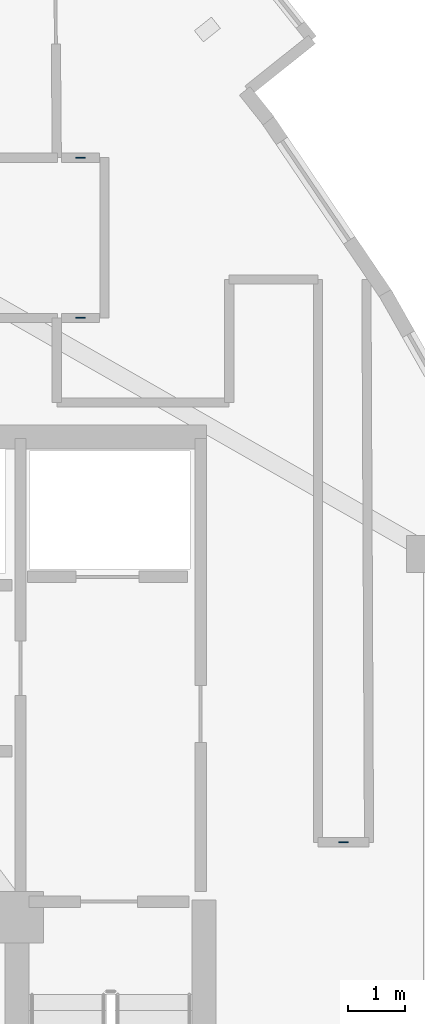
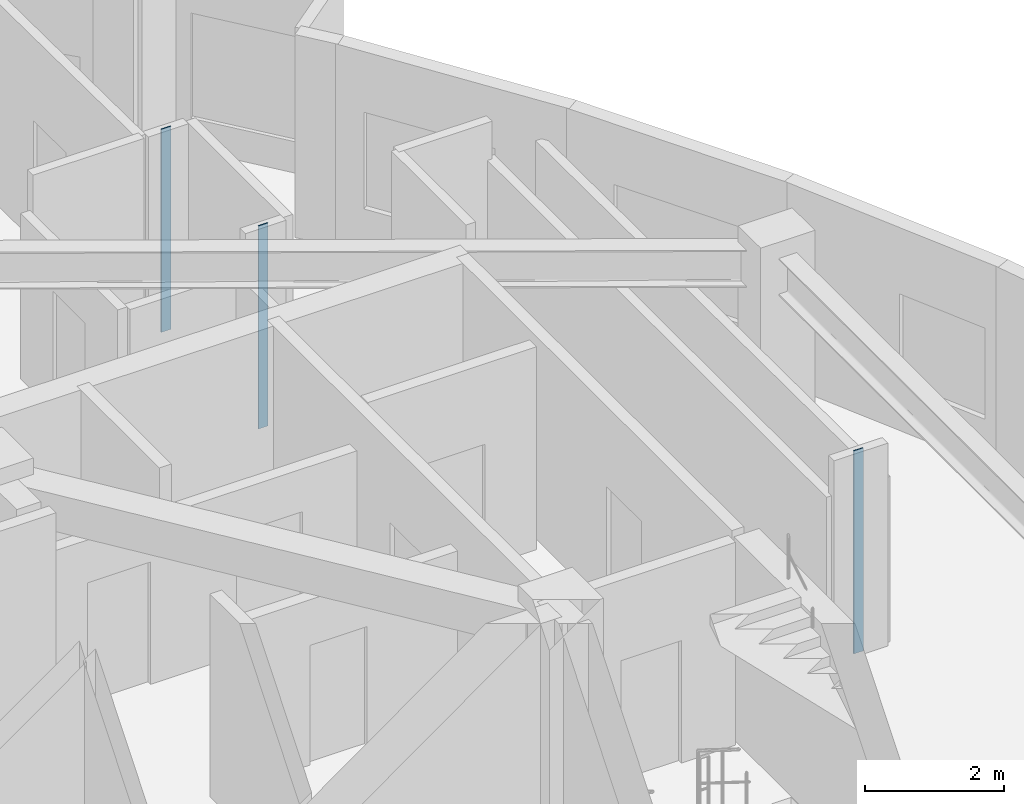
# One storey, part 6 of 13: 3 plates.
"""IFC4 building model written with IfcOpenShell, lengths in metres."""

import ifcopenshell
import ifcopenshell.guid

model = None  # the IFC model being written
_history = None  # IfcOwnerHistory: only IFC2X3 demands one
_inside = {}  # id of a spatial element -> (the spatial element, [elements in it])
_under = {}  # id of a project, library or spatial element -> (it, [spatial elements below it])
_declared = {}  # id of a project -> (the project, [libraries it declares])
_typed = {}  # id of a type object -> (the type object, [elements of that type])
_made_of = {}  # id of a material, layer set ... -> (it, [elements and type objects made of it])


def new_model(schema):
    """Start an empty IFC model of exactly this schema.

    Asked for "IFC4X3", IfcOpenShell would pick the latest addendum, in which some entities
    have other attributes; the version numbers below select the first issue.
    IFC2X3 requires an IfcOwnerHistory on every rooted entity: one is made here for all.
    """
    global model, _history
    if schema == "IFC4X3":
        model = ifcopenshell.file(schema_version=(4, 3, 0, 0))
    else:
        model = ifcopenshell.file(schema=schema)
    _inside.clear()
    _under.clear()
    _declared.clear()
    _typed.clear()
    _made_of.clear()
    _history = None
    if model.schema == "IFC2X3":
        org = make("IfcOrganization", Name="unknown")
        user = make(
            "IfcPersonAndOrganization",
            ThePerson=make("IfcPerson", FamilyName="unknown"),
            TheOrganization=org,
        )
        app = make(
            "IfcApplication",
            ApplicationDeveloper=org,
            Version="unknown",
            ApplicationFullName="unknown",
            ApplicationIdentifier="unknown",
        )
        _history = make(
            "IfcOwnerHistory",
            OwningUser=user,
            OwningApplication=app,
            ChangeAction="ADDED",
            CreationDate=0,
        )
    return model


def make(cls, **values):
    """One entity of the class cls with the attributes given. An attribute that is None is left unset."""
    return model.create_entity(
        cls, **{name: value for name, value in values.items() if value is not None}
    )


def rooted(cls, **values):
    """An entity with a GlobalId (a new one), such as an element, a storey or a relation."""
    return make(cls, GlobalId=ifcopenshell.guid.new(), OwnerHistory=_history, **values)


def si_unit(unit_type, name, prefix=None):
    """IfcSIUnit, for example si_unit("LENGTHUNIT", "METRE", prefix="MILLI")."""
    return make("IfcSIUnit", UnitType=unit_type, Prefix=prefix, Name=name)


def assignment(units):
    """IfcUnitAssignment: the units of a project."""
    return None if units is None else make("IfcUnitAssignment", Units=units)


def point(xyz):
    """IfcCartesianPoint."""
    return None if xyz is None else make("IfcCartesianPoint", Coordinates=xyz)


def direction(xyz):
    """IfcDirection."""
    return None if xyz is None else make("IfcDirection", DirectionRatios=xyz)


def frame(location, z_axis=None, x_axis=None):
    """IfcAxis2Placement3D, a coordinate frame: its origin and axes. An axis left out is left unset."""
    return make(
        "IfcAxis2Placement3D",
        Location=point(location),
        Axis=direction(z_axis),
        RefDirection=direction(x_axis),
    )


def frame_2d(location, x_axis=None):
    """IfcAxis2Placement2D, a coordinate frame in the plane: its origin and x axis."""
    return make(
        "IfcAxis2Placement2D", Location=point(location), RefDirection=direction(x_axis)
    )


def origin():
    """The frame at (0, 0, 0) with its axes left unset."""
    return frame((0.0, 0.0, 0.0))


def origin_2d():
    """The frame at (0, 0) in the plane with its x axis left unset."""
    return frame_2d((0.0, 0.0))


def place(relative_to, where):
    """IfcLocalPlacement: puts the frame where relative to a parent placement (None: the world)."""
    return make(
        "IfcLocalPlacement", PlacementRelTo=relative_to, RelativePlacement=where
    )


def context(
    kind, dimensions, precision=None, world=None, true_north=None, identifier=None
):
    """IfcGeometricRepresentationContext, for example the 3D "Model" context."""
    return make(
        "IfcGeometricRepresentationContext",
        ContextIdentifier=identifier,
        ContextType=kind,
        CoordinateSpaceDimension=dimensions,
        Precision=precision,
        WorldCoordinateSystem=world,
        TrueNorth=true_north,
    )


def subcontext(parent, identifier, kind, view, scale=None):
    """IfcGeometricRepresentationSubContext, for example "Body" below "Model"."""
    return make(
        "IfcGeometricRepresentationSubContext",
        ContextIdentifier=identifier,
        ContextType=kind,
        ParentContext=parent,
        TargetScale=scale,
        TargetView=view,
    )


def project(units=None, contexts=None):
    """IfcProject with its units and contexts."""
    return rooted(
        "IfcProject",
        Name="project",
        RepresentationContexts=contexts,
        UnitsInContext=assignment(units),
    )


def spatial(cls, under=None, at=None, **own):
    """A site, building, storey or space (cls), placed at a placement, below another one or the project."""
    s = rooted(cls, ObjectPlacement=at, **own)
    if under is not None:
        _under.setdefault(under.id(), (under, []))[1].append(s)
    return s


def profile(cls, at=None, kind="AREA", **sizes):
    """A parametric profile (cls). Its sizes go by their IFC names, for example OverallWidth=200.0."""
    return make(cls, ProfileType=kind, Position=at, **sizes)


def rectangle(**sizes):
    """IfcRectangleProfileDef."""
    return profile("IfcRectangleProfileDef", **sizes)


def extrude(swept, where, along, depth):
    """IfcExtrudedAreaSolid: the profile swept, set in the frame where, extruded along a direction by depth."""
    return make(
        "IfcExtrudedAreaSolid",
        SweptArea=swept,
        Position=where,
        ExtrudedDirection=direction(along),
        Depth=depth,
    )


def shape(context_of_items, identifier, shape_type, items):
    """IfcShapeRepresentation: the items that make up one representation, for example the "Body"."""
    return make(
        "IfcShapeRepresentation",
        ContextOfItems=context_of_items,
        RepresentationIdentifier=identifier,
        RepresentationType=shape_type,
        Items=items,
    )


def material(Name=None, Category=None):
    """IfcMaterial."""
    return make("IfcMaterial", Name=Name, Category=Category)


def layer(
    of_material, thickness, ventilated=None, Name=None, Category=None, Priority=None
):
    """IfcMaterialLayer: one layer of a wall or slab, of a material (None: an air gap)."""
    return make(
        "IfcMaterialLayer",
        Material=of_material,
        LayerThickness=thickness,
        IsVentilated=ventilated,
        Name=Name,
        Category=Category,
        Priority=Priority,
    )


def layer_set(layers, Name=None):
    """IfcMaterialLayerSet."""
    return make("IfcMaterialLayerSet", MaterialLayers=layers, LayerSetName=Name)


def made_of(thing, what):
    """Note that an element or type object is made of a material, layer set ...; save() writes the relation."""
    if what is not None:
        _made_of.setdefault(what.id(), (what, []))[1].append(thing)
    return thing


def type_object(cls, material=None, **own):
    """A type object (cls), such as IfcWallType, which elements share."""
    return made_of(rooted(cls, **own), material)


def element(
    cls,
    number,
    at=None,
    inside=None,
    cuts=None,
    type_object=None,
    material=None,
    context=None,
    identifier="Body",
    shape_type=None,
    held_by="IfcProductDefinitionShape",
    body=None,
    shapes=None,
    **own,
):
    """One element of the class cls, such as IfcWall. Its Tag is "e" and its number.

    at: its placement. inside: the storey or other place that contains it. cuts: it is an
    opening in that element (IfcRelVoidsElement). A single representation is given by context,
    identifier, shape_type and body (its items); several are given by shapes. held_by: the class
    of the entity that holds the representations. save() writes the other relations.
    """
    e = rooted(cls, Tag="e%d" % number, ObjectPlacement=at, **own)
    if body is not None:
        shapes = [shape(context, identifier, shape_type, body)]
    if shapes is not None:
        e.Representation = make(held_by, Representations=shapes)
    if inside is not None:
        _inside.setdefault(inside.id(), (inside, []))[1].append(e)
    if cuts is not None:
        rooted(
            "IfcRelVoidsElement", RelatingBuildingElement=cuts, RelatedOpeningElement=e
        )
    if type_object is not None:
        _typed.setdefault(type_object.id(), (type_object, []))[1].append(e)
    return made_of(e, material)


def aggregate(whole, parts):
    """IfcRelAggregates: a whole, such as a stair, and the parts it consists of."""
    return rooted("IfcRelAggregates", RelatingObject=whole, RelatedObjects=parts)


def save(model, path):
    """Write the relations noted so far, then the file.

    IfcRelAggregates (storeys below a building ...), IfcRelContainedInSpatialStructure (elements
    in a storey), IfcRelDefinesByType, IfcRelAssociatesMaterial and IfcRelDeclares: one each for
    every whole, place, type object, material and project.
    """
    for whole, parts in _under.values():
        aggregate(whole, parts)
    for where, things in _inside.values():
        rooted(
            "IfcRelContainedInSpatialStructure",
            RelatedElements=things,
            RelatingStructure=where,
        )
    for kind, things in _typed.values():
        rooted("IfcRelDefinesByType", RelatedObjects=things, RelatingType=kind)
    for what, things in _made_of.values():
        rooted("IfcRelAssociatesMaterial", RelatedObjects=things, RelatingMaterial=what)
    for by, libraries in _declared.values():
        rooted("IfcRelDeclares", RelatingContext=by, RelatedDefinitions=libraries)
    model.write(path)


model = new_model("IFC4")

# Units and contexts
model_context = context("Model", 3, precision=1e-05, world=origin(), true_north=direction((0.0, 1.0)))
body_context = subcontext(model_context, "Body", "Model", "MODEL_VIEW")
ifc_project = project(units=[si_unit("LENGTHUNIT", "METRE"), si_unit("AREAUNIT", "SQUARE_METRE"), si_unit("VOLUMEUNIT", "CUBIC_METRE"), si_unit("PLANEANGLEUNIT", "RADIAN"), si_unit("MASSUNIT", "GRAM", prefix="KILO")], contexts=[model_context])

# Site, building, storey
site_placement = place(None, origin())
site = spatial("IfcSite", under=ifc_project, at=site_placement, CompositionType="ELEMENT")
building_placement = place(site_placement, origin())
building = spatial("IfcBuilding", under=site, at=building_placement, Name="Miruveldt Soraemaru", CompositionType="ELEMENT")
storey_placement = place(building_placement, frame((0.0, 0.0, 255.85009765625)))
storey = spatial("IfcBuildingStorey", under=building, at=storey_placement, Name="L70", CompositionType="ELEMENT", Elevation=255.85009765625)

# Plates
ifc_material = material(Name="Anodised aluminium EN AW-6063 T6", Category="aluminium")
ifc_layer = layer(ifc_material, 0.02001953125, Name="Anodised aluminium EN AW-6063 T6", Category="aluminium")
ifc_layer_set = layer_set([ifc_layer], Name="Anodised aluminium EN AW-6063 T6")
plate_type = type_object("IfcPlateType", Name="PLT-PART-TRIM", PredefinedType="SHEET", material=ifc_layer_set)
for number, where, z_axis, x_axis, name in (
    (1, (55.047607421875, 45.35791015625, 0.0), (0.0, 0.0, 1.0), (-1.0, 0.0, 0.0), "L70 Partition Step Corner Trim Plate 069"),
    (2, (50.450439453125, 54.530029296875, 0.0), (0.0, 0.0, 1.0), (1.0, 0.0, 0.0), "L70 Partition Step Corner Trim Plate 024"),
    (3, (50.450439453125, 57.330078125, 0.0), (0.0, 0.0, 1.0), (-1.0, 0.0, 0.0), "L70 Partition Step Corner Trim Plate 026"),
):
    element("IfcPlate", number, at=place(storey_placement, frame(where, z_axis=z_axis, x_axis=x_axis)), inside=storey, type_object=plate_type, Name=name, PredefinedType="SHEET", context=body_context, shape_type="SweptSolid", body=[
        extrude(rectangle(XDim=0.159912109375, YDim=0.02001953125, at=origin_2d()), origin(), (0.0, 0.0, 1.0), 3.56494140625),
    ])

save(model, "model.ifc")
